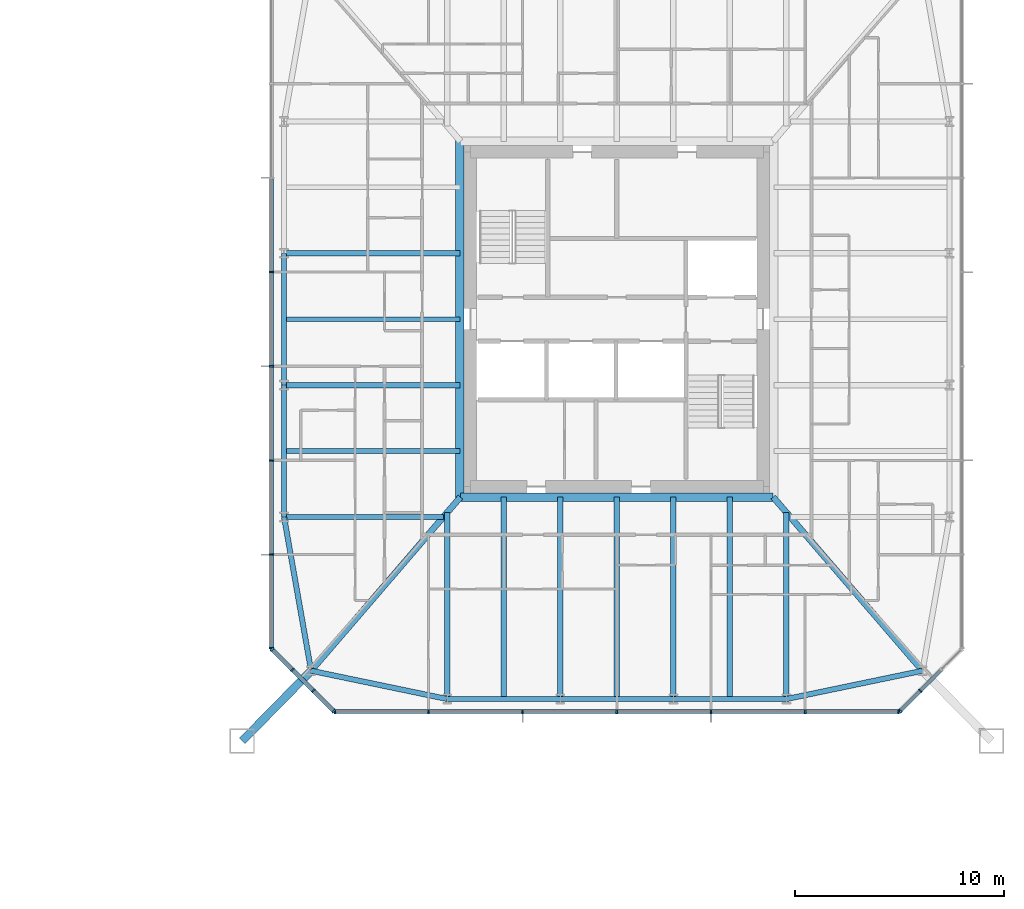
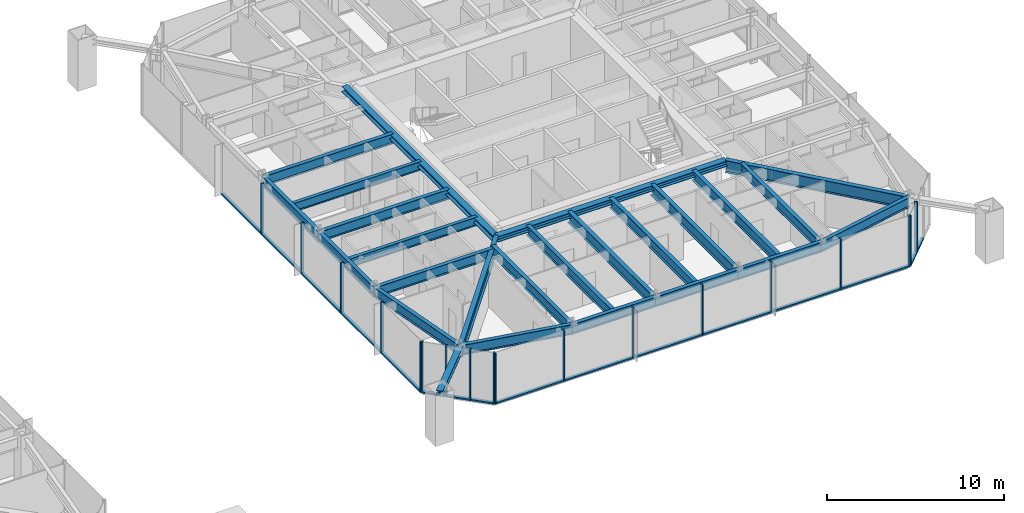
# One storey, part 8 of 26: 35 members, 24 beams, 4 elements without a shape of their own.
"""IFC4 building model written with IfcOpenShell, lengths in metres."""

from ifc_helpers import new_model, si_unit, direction, frame, origin, origin_2d, place, context, subcontext, project, spatial, rectangle, i_section, extrude, material, material_profile, profile_set, type_object, element, aggregate, save


model = new_model("IFC4")

# Units and contexts
model_context = context("Model", 3, precision=1e-05, world=origin(), true_north=direction((0.0, 1.0)))
body_context = subcontext(model_context, "Body", "Model", "MODEL_VIEW")
ifc_project = project(units=[si_unit("LENGTHUNIT", "METRE"), si_unit("AREAUNIT", "SQUARE_METRE"), si_unit("VOLUMEUNIT", "CUBIC_METRE"), si_unit("PLANEANGLEUNIT", "RADIAN"), si_unit("MASSUNIT", "GRAM", prefix="KILO")], contexts=[model_context])

# Site, building, storey
site_placement = place(None, origin())
site = spatial("IfcSite", under=ifc_project, at=site_placement, CompositionType="ELEMENT")
building_placement = place(site_placement, origin())
building = spatial("IfcBuilding", under=site, at=building_placement, Name="Iwan Alto Co-Living Towers", CompositionType="ELEMENT")
storey_placement = place(building_placement, frame((0.0, 0.0, 67.5)))
storey = spatial("IfcBuildingStorey", under=building, at=storey_placement, Name="L18", CompositionType="ELEMENT", Elevation=67.5)

# Curtain wall, members
ifc_material_1 = material(Name="Bronze aluminium unitised frame", Category="aluminium")
curtain_wall_type_1 = type_object("IfcCurtainWallType", Name="CURTAIN WALL CW-C", PredefinedType="NOTDEFINED", material=ifc_material_1)
curtain_wall_1_placement = place(storey_placement, origin())
curtain_wall_1 = element("IfcCurtainWall", 1, at=curtain_wall_1_placement, inside=storey, type_object=curtain_wall_type_1, Name="T2 curtain wall S L18", PredefinedType="NOTDEFINED")
ifc_material_2 = material(Name="Aluminium 6063-T6 bronze anodised", Category="aluminium")
ifc_material_profile_1 = material_profile(ifc_material_2, rectangle(XDim=0.199951171875, YDim=0.080078125, at=origin_2d()), Name="AL 80X200")
ifc_profile_set_1 = profile_set([ifc_material_profile_1], Name="Aluminium 6063-T6 bronze anodised")
member_type_1 = type_object("IfcMemberType", Name="CW-C MULLION 80X200", PredefinedType="MULLION", material=ifc_profile_set_1)
member_1_placement = place(storey_placement, frame((49.5400390625, -18.75, 0.0), z_axis=(0.0, 0.0, 1.0), x_axis=(0.0, 1.0, 0.0)))
member_1 = element("IfcMember", 2, at=member_1_placement, type_object=member_type_1, Name="CW-C mullion 1", PredefinedType="MULLION", context=body_context, shape_type="SweptSolid", body=[
    extrude(rectangle(XDim=0.199951171875, YDim=0.080078125, at=origin_2d()), origin(), (0.0, 0.0, 1.0), 3.5),
])
member_2_placement = place(storey_placement, frame((54.0, -18.75, 0.0), z_axis=(0.0, 0.0, 1.0), x_axis=(0.0, 1.0, 0.0)))
member_2 = element("IfcMember", 3, at=member_2_placement, type_object=member_type_1, Name="CW-C mullion 2", PredefinedType="MULLION", context=body_context, shape_type="SweptSolid", body=[
    extrude(rectangle(XDim=0.199951171875, YDim=0.080078125, at=origin_2d()), origin(), (0.0, 0.0, 1.0), 3.5),
])
member_3_placement = place(storey_placement, frame((58.5, -18.75, 0.0), z_axis=(0.0, 0.0, 1.0), x_axis=(0.0, 1.0, 0.0)))
member_3 = element("IfcMember", 4, at=member_3_placement, type_object=member_type_1, Name="CW-C mullion 3", PredefinedType="MULLION", context=body_context, shape_type="SweptSolid", body=[
    extrude(rectangle(XDim=0.199951171875, YDim=0.080078125, at=origin_2d()), origin(), (0.0, 0.0, 1.0), 3.5),
])
member_4_placement = place(storey_placement, frame((63.0, -18.75, 0.0), z_axis=(0.0, 0.0, 1.0), x_axis=(0.0, 1.0, 0.0)))
member_4 = element("IfcMember", 5, at=member_4_placement, type_object=member_type_1, Name="CW-C mullion 4", PredefinedType="MULLION", context=body_context, shape_type="SweptSolid", body=[
    extrude(rectangle(XDim=0.199951171875, YDim=0.080078125, at=origin_2d()), origin(), (0.0, 0.0, 1.0), 3.5),
])
member_5_placement = place(storey_placement, frame((67.5, -18.75, 0.0), z_axis=(0.0, 0.0, 1.0), x_axis=(0.0, 1.0, 0.0)))
member_5 = element("IfcMember", 6, at=member_5_placement, type_object=member_type_1, Name="CW-C mullion 5", PredefinedType="MULLION", context=body_context, shape_type="SweptSolid", body=[
    extrude(rectangle(XDim=0.199951171875, YDim=0.080078125, at=origin_2d()), origin(), (0.0, 0.0, 1.0), 3.5),
])
member_6_placement = place(storey_placement, frame((72.0, -18.75, 0.0), z_axis=(0.0, 0.0, 1.0), x_axis=(0.0, 1.0, 0.0)))
member_6 = element("IfcMember", 7, at=member_6_placement, type_object=member_type_1, Name="CW-C mullion 6", PredefinedType="MULLION", context=body_context, shape_type="SweptSolid", body=[
    extrude(rectangle(XDim=0.199951171875, YDim=0.080078125, at=origin_2d()), origin(), (0.0, 0.0, 1.0), 3.5),
])
member_7_placement = place(storey_placement, frame((76.4599609375, -18.75, 0.0), z_axis=(0.0, 0.0, 1.0), x_axis=(0.0, 1.0, 0.0)))
member_7 = element("IfcMember", 8, at=member_7_placement, type_object=member_type_1, Name="CW-C mullion 7", PredefinedType="MULLION", context=body_context, shape_type="SweptSolid", body=[
    extrude(rectangle(XDim=0.199951171875, YDim=0.080078125, at=origin_2d()), origin(), (0.0, 0.0, 1.0), 3.5),
])

curtain_wall_2_placement = place(storey_placement, origin())
curtain_wall_2 = element("IfcCurtainWall", 9, at=curtain_wall_2_placement, inside=storey, type_object=curtain_wall_type_1, Name="T2 curtain wall W L18", PredefinedType="NOTDEFINED")
member_8_placement = place(storey_placement, frame((46.5, 2.25, 0.0), z_axis=(0.0, 0.0, 1.0), x_axis=(1.0, 0.0, 0.0)))
member_8 = element("IfcMember", 10, at=member_8_placement, type_object=member_type_1, Name="CW-C mullion 4", PredefinedType="MULLION", context=body_context, shape_type="SweptSolid", body=[
    extrude(rectangle(XDim=0.199951171875, YDim=0.080078125, at=origin_2d()), origin(), (0.0, 0.0, 1.0), 3.5),
])
member_9_placement = place(storey_placement, frame((46.5, -2.25, 0.0), z_axis=(0.0, 0.0, 1.0), x_axis=(1.0, 0.0, 0.0)))
member_9 = element("IfcMember", 11, at=member_9_placement, type_object=member_type_1, Name="CW-C mullion 5", PredefinedType="MULLION", context=body_context, shape_type="SweptSolid", body=[
    extrude(rectangle(XDim=0.199951171875, YDim=0.080078125, at=origin_2d()), origin(), (0.0, 0.0, 1.0), 3.5),
])
member_10_placement = place(storey_placement, frame((46.5, -6.75, 0.0), z_axis=(0.0, 0.0, 1.0), x_axis=(1.0, 0.0, 0.0)))
member_10 = element("IfcMember", 12, at=member_10_placement, type_object=member_type_1, Name="CW-C mullion 6", PredefinedType="MULLION", context=body_context, shape_type="SweptSolid", body=[
    extrude(rectangle(XDim=0.199951171875, YDim=0.080078125, at=origin_2d()), origin(), (0.0, 0.0, 1.0), 3.5),
])
member_11_placement = place(storey_placement, frame((46.5, -11.25, 0.0), z_axis=(0.0, 0.0, 1.0), x_axis=(1.0, 0.0, 0.0)))
member_11 = element("IfcMember", 13, at=member_11_placement, type_object=member_type_1, Name="CW-C mullion 7", PredefinedType="MULLION", context=body_context, shape_type="SweptSolid", body=[
    extrude(rectangle(XDim=0.199951171875, YDim=0.080078125, at=origin_2d()), origin(), (0.0, 0.0, 1.0), 3.5),
])
member_12_placement = place(storey_placement, frame((46.5, -15.7099609375, 0.0), z_axis=(0.0, 0.0, 1.0), x_axis=(1.0, 0.0, 0.0)))
member_12 = element("IfcMember", 14, at=member_12_placement, type_object=member_type_1, Name="CW-C mullion 8", PredefinedType="MULLION", context=body_context, shape_type="SweptSolid", body=[
    extrude(rectangle(XDim=0.199951171875, YDim=0.080078125, at=origin_2d()), origin(), (0.0, 0.0, 1.0), 3.5),
])

# Member
ifc_material_3 = material(Name="Aluminium 6063-T6 bronze anodised", Category="aluminium")
ifc_material_profile_2 = material_profile(ifc_material_3, rectangle(XDim=0.199951171875, YDim=0.10009765625, at=origin_2d()), Name="AL 200X100")
ifc_profile_set_2 = profile_set([ifc_material_profile_2], Name="Aluminium 6063-T6 bronze anodised")
member_type_2 = type_object("IfcMemberType", Name="CW-C TRANSOM 200X100", PredefinedType="USERDEFINED", material=ifc_profile_set_2)
member_13_placement = place(storey_placement, frame((49.580078125, -18.75, 0.050048828125), z_axis=(1.0, 0.0, 0.0), x_axis=(0.0, 1.0, 0.0)))
member_13 = element("IfcMember", 15, at=member_13_placement, type_object=member_type_2, Name="CW-C transom 1.1", ObjectType="TRANSOM", PredefinedType="USERDEFINED", context=body_context, shape_type="SweptSolid", body=[
    extrude(rectangle(XDim=0.199951171875, YDim=0.10009765625, at=origin_2d()), origin(), (0.0, 0.0, 1.0), 4.3798828125),
])

member_14_placement = place(storey_placement, frame((54.0400390625, -18.75, 0.050048828125), z_axis=(1.0, 0.0, 0.0), x_axis=(0.0, 1.0, 0.0)))
member_14 = element("IfcMember", 16, at=member_14_placement, type_object=member_type_2, Name="CW-C transom 2.1", ObjectType="TRANSOM", PredefinedType="USERDEFINED", context=body_context, shape_type="SweptSolid", body=[
    extrude(rectangle(XDim=0.199951171875, YDim=0.10009765625, at=origin_2d()), origin(), (0.0, 0.0, 1.0), 4.419921875),
])

member_15_placement = place(storey_placement, frame((58.5400390625, -18.75, 0.050048828125), z_axis=(1.0, 0.0, 0.0), x_axis=(0.0, 1.0, 0.0)))
member_15 = element("IfcMember", 17, at=member_15_placement, type_object=member_type_2, Name="CW-C transom 3.1", ObjectType="TRANSOM", PredefinedType="USERDEFINED", context=body_context, shape_type="SweptSolid", body=[
    extrude(rectangle(XDim=0.199951171875, YDim=0.10009765625, at=origin_2d()), origin(), (0.0, 0.0, 1.0), 4.419921875),
])

member_16_placement = place(storey_placement, frame((63.0400390625, -18.75, 0.050048828125), z_axis=(1.0, 0.0, 0.0), x_axis=(0.0, 1.0, 0.0)))
member_16 = element("IfcMember", 18, at=member_16_placement, type_object=member_type_2, Name="CW-C transom 4.1", ObjectType="TRANSOM", PredefinedType="USERDEFINED", context=body_context, shape_type="SweptSolid", body=[
    extrude(rectangle(XDim=0.199951171875, YDim=0.10009765625, at=origin_2d()), origin(), (0.0, 0.0, 1.0), 4.419921875),
])

member_17_placement = place(storey_placement, frame((67.5400390625, -18.75, 0.050048828125), z_axis=(1.0, 0.0, 0.0), x_axis=(0.0, 1.0, 0.0)))
member_17 = element("IfcMember", 19, at=member_17_placement, type_object=member_type_2, Name="CW-C transom 5.1", ObjectType="TRANSOM", PredefinedType="USERDEFINED", context=body_context, shape_type="SweptSolid", body=[
    extrude(rectangle(XDim=0.199951171875, YDim=0.10009765625, at=origin_2d()), origin(), (0.0, 0.0, 1.0), 4.419921875),
])

member_18_placement = place(storey_placement, frame((72.0400390625, -18.75, 0.050048828125), z_axis=(1.0, 0.0, 0.0), x_axis=(0.0, 1.0, 0.0)))
member_18 = element("IfcMember", 20, at=member_18_placement, type_object=member_type_2, Name="CW-C transom 6.1", ObjectType="TRANSOM", PredefinedType="USERDEFINED", context=body_context, shape_type="SweptSolid", body=[
    extrude(rectangle(XDim=0.199951171875, YDim=0.10009765625, at=origin_2d()), origin(), (0.0, 0.0, 1.0), 4.3798828125),
])

aggregate(curtain_wall_1, [member_1, member_2, member_3, member_4, member_5, member_6, member_7, member_13, member_14, member_15, member_16, member_17, member_18])

member_19_placement = place(storey_placement, frame((46.5, 6.7099609375, 0.050048828125), z_axis=(0.0, -1.0, 0.0), x_axis=(1.0, 0.0, 0.0)))
member_19 = element("IfcMember", 21, at=member_19_placement, type_object=member_type_2, Name="CW-C transom 3.1", ObjectType="TRANSOM", PredefinedType="USERDEFINED", context=body_context, shape_type="SweptSolid", body=[
    extrude(rectangle(XDim=0.199951171875, YDim=0.10009765625, at=origin_2d()), origin(), (0.0, 0.0, 1.0), 4.419921875),
])

member_20_placement = place(storey_placement, frame((46.5, 2.2099609375, 0.050048828125), z_axis=(0.0, -1.0, 0.0), x_axis=(1.0, 0.0, 0.0)))
member_20 = element("IfcMember", 22, at=member_20_placement, type_object=member_type_2, Name="CW-C transom 4.1", ObjectType="TRANSOM", PredefinedType="USERDEFINED", context=body_context, shape_type="SweptSolid", body=[
    extrude(rectangle(XDim=0.199951171875, YDim=0.10009765625, at=origin_2d()), origin(), (0.0, 0.0, 1.0), 4.419921875),
])

member_21_placement = place(storey_placement, frame((46.5, -2.2900390625, 0.050048828125), z_axis=(0.0, -1.0, 0.0), x_axis=(1.0, 0.0, 0.0)))
member_21 = element("IfcMember", 23, at=member_21_placement, type_object=member_type_2, Name="CW-C transom 5.1", ObjectType="TRANSOM", PredefinedType="USERDEFINED", context=body_context, shape_type="SweptSolid", body=[
    extrude(rectangle(XDim=0.199951171875, YDim=0.10009765625, at=origin_2d()), origin(), (0.0, 0.0, 1.0), 4.419921875),
])

member_22_placement = place(storey_placement, frame((46.5, -6.7900390625, 0.050048828125), z_axis=(0.0, -1.0, 0.0), x_axis=(1.0, 0.0, 0.0)))
member_22 = element("IfcMember", 24, at=member_22_placement, type_object=member_type_2, Name="CW-C transom 6.1", ObjectType="TRANSOM", PredefinedType="USERDEFINED", context=body_context, shape_type="SweptSolid", body=[
    extrude(rectangle(XDim=0.199951171875, YDim=0.10009765625, at=origin_2d()), origin(), (0.0, 0.0, 1.0), 4.419921875),
])

member_23_placement = place(storey_placement, frame((46.5, -11.2900390625, 0.050048828125), z_axis=(0.0, -1.0, 0.0), x_axis=(1.0, 0.0, 0.0)))
member_23 = element("IfcMember", 25, at=member_23_placement, type_object=member_type_2, Name="CW-C transom 7.1", ObjectType="TRANSOM", PredefinedType="USERDEFINED", context=body_context, shape_type="SweptSolid", body=[
    extrude(rectangle(XDim=0.199951171875, YDim=0.10009765625, at=origin_2d()), origin(), (0.0, 0.0, 1.0), 4.3798828125),
])

aggregate(curtain_wall_2, [member_8, member_9, member_10, member_11, member_12, member_19, member_20, member_21, member_22, member_23])

# Curtain wall, members
ifc_material_4 = material(Name="Bronze aluminium unitised frame", Category="aluminium")
curtain_wall_type_2 = type_object("IfcCurtainWallType", Name="CURTAIN WALL CW-D", PredefinedType="NOTDEFINED", material=ifc_material_4)
curtain_wall_3_placement = place(storey_placement, origin())
curtain_wall_3 = element("IfcCurtainWall", 26, at=curtain_wall_3_placement, inside=storey, type_object=curtain_wall_type_2, Name="T2 chamfer curtain wall SE L18", PredefinedType="NOTDEFINED")
ifc_material_5 = material(Name="Aluminium 6063-T6 bronze anodised", Category="aluminium")
ifc_material_profile_3 = material_profile(ifc_material_5, rectangle(XDim=0.199951171875, YDim=0.080078125, at=origin_2d()), Name="AL 80X200")
ifc_profile_set_3 = profile_set([ifc_material_profile_3], Name="Aluminium 6063-T6 bronze anodised")
member_type_3 = type_object("IfcMemberType", Name="CW-D MULLION 80X200", PredefinedType="MULLION", material=ifc_profile_set_3)
member_24_placement = place(storey_placement, frame((76.5283203125, -18.7216796875, 0.0), z_axis=(0.0, 0.0, 1.0), x_axis=(-0.707106781187, 0.707106781187, 0.0)))
member_24 = element("IfcMember", 27, at=member_24_placement, type_object=member_type_3, Name="CW-D mullion 1", PredefinedType="MULLION", context=body_context, shape_type="SweptSolid", body=[
    extrude(rectangle(XDim=0.199951171875, YDim=0.080078125, at=origin_2d()), origin(), (0.0, 0.0, 1.0), 3.5),
])
member_25_placement = place(storey_placement, frame((77.5, -17.75, 0.0), z_axis=(0.0, 0.0, 1.0), x_axis=(-0.707106781187, 0.707106781187, 0.0)))
member_25 = element("IfcMember", 28, at=member_25_placement, type_object=member_type_3, Name="CW-D mullion 2", PredefinedType="MULLION", context=body_context, shape_type="SweptSolid", body=[
    extrude(rectangle(XDim=0.199951171875, YDim=0.080078125, at=origin_2d()), origin(), (0.0, 0.0, 1.0), 3.5),
])

curtain_wall_4_placement = place(storey_placement, origin())
curtain_wall_4 = element("IfcCurtainWall", 29, at=curtain_wall_4_placement, inside=storey, type_object=curtain_wall_type_2, Name="T2 chamfer curtain wall SW L18", PredefinedType="NOTDEFINED")
member_26_placement = place(storey_placement, frame((46.5283203125, -15.7783203125, 0.0), z_axis=(0.0, 0.0, 1.0), x_axis=(0.707106781187, 0.707106781187, 0.0)))
member_26 = element("IfcMember", 30, at=member_26_placement, type_object=member_type_3, Name="CW-D mullion 1", PredefinedType="MULLION", context=body_context, shape_type="SweptSolid", body=[
    extrude(rectangle(XDim=0.199951171875, YDim=0.080078125, at=origin_2d()), origin(), (0.0, 0.0, 1.0), 3.5),
])
member_27_placement = place(storey_placement, frame((47.5, -16.75, 0.0), z_axis=(0.0, 0.0, 1.0), x_axis=(0.707106781187, 0.707106781187, 0.0)))
member_27 = element("IfcMember", 31, at=member_27_placement, type_object=member_type_3, Name="CW-D mullion 2", PredefinedType="MULLION", context=body_context, shape_type="SweptSolid", body=[
    extrude(rectangle(XDim=0.199951171875, YDim=0.080078125, at=origin_2d()), origin(), (0.0, 0.0, 1.0), 3.5),
])
member_28_placement = place(storey_placement, frame((48.5, -17.75, 0.0), z_axis=(0.0, 0.0, 1.0), x_axis=(0.707106781187, 0.707106781187, 0.0)))
member_28 = element("IfcMember", 32, at=member_28_placement, type_object=member_type_3, Name="CW-D mullion 3", PredefinedType="MULLION", context=body_context, shape_type="SweptSolid", body=[
    extrude(rectangle(XDim=0.199951171875, YDim=0.080078125, at=origin_2d()), origin(), (0.0, 0.0, 1.0), 3.5),
])
member_29_placement = place(storey_placement, frame((49.4716796875, -18.7216796875, 0.0), z_axis=(0.0, 0.0, 1.0), x_axis=(0.707106781187, 0.707106781187, 0.0)))
member_29 = element("IfcMember", 33, at=member_29_placement, type_object=member_type_3, Name="CW-D mullion 4", PredefinedType="MULLION", context=body_context, shape_type="SweptSolid", body=[
    extrude(rectangle(XDim=0.199951171875, YDim=0.080078125, at=origin_2d()), origin(), (0.0, 0.0, 1.0), 3.5),
])

# Member
ifc_material_6 = material(Name="Aluminium 6063-T6 bronze anodised", Category="aluminium")
ifc_material_profile_4 = material_profile(ifc_material_6, rectangle(XDim=0.199951171875, YDim=0.10009765625, at=origin_2d()), Name="AL 200X100")
ifc_profile_set_4 = profile_set([ifc_material_profile_4], Name="Aluminium 6063-T6 bronze anodised")
member_type_4 = type_object("IfcMemberType", Name="CW-D TRANSOM 200X100", PredefinedType="USERDEFINED", material=ifc_profile_set_4)
member_30_placement = place(storey_placement, frame((76.556640625, -18.693359375, 0.050048828125), z_axis=(0.707106781187, 0.707106781187, 0.0), x_axis=(-0.707106781187, 0.707106781187, 0.0)))
member_30 = element("IfcMember", 34, at=member_30_placement, type_object=member_type_4, Name="CW-D transom 1.1", ObjectType="TRANSOM", PredefinedType="USERDEFINED", context=body_context, shape_type="SweptSolid", body=[
    extrude(rectangle(XDim=0.199951171875, YDim=0.10009765625, at=origin_2d()), origin(), (0.0, 0.0, 1.0), 1.2939453125),
])

member_31_placement = place(storey_placement, frame((77.5283203125, -17.7216796875, 0.050048828125), z_axis=(0.707106781187, 0.707106781187, 0.0), x_axis=(-0.707106781187, 0.707106781187, 0.0)))
member_31 = element("IfcMember", 35, at=member_31_placement, type_object=member_type_4, Name="CW-D transom 2.1", ObjectType="TRANSOM", PredefinedType="USERDEFINED", context=body_context, shape_type="SweptSolid", body=[
    extrude(rectangle(XDim=0.199951171875, YDim=0.10009765625, at=origin_2d()), origin(), (0.0, 0.0, 1.0), 1.334228515625),
])

aggregate(curtain_wall_3, [member_24, member_25, member_30, member_31])

member_32_placement = place(storey_placement, frame((46.556640625, -15.806640625, 0.050048828125), z_axis=(0.707106781187, -0.707106781187, 0.0), x_axis=(0.707106781187, 0.707106781187, 0.0)))
member_32 = element("IfcMember", 36, at=member_32_placement, type_object=member_type_4, Name="CW-D transom 1.1", ObjectType="TRANSOM", PredefinedType="USERDEFINED", context=body_context, shape_type="SweptSolid", body=[
    extrude(rectangle(XDim=0.199951171875, YDim=0.10009765625, at=origin_2d()), origin(), (0.0, 0.0, 1.0), 1.2939453125),
])

member_33_placement = place(storey_placement, frame((47.5283203125, -16.7783203125, 0.050048828125), z_axis=(0.707106781187, -0.707106781187, 0.0), x_axis=(0.707106781187, 0.707106781187, 0.0)))
member_33 = element("IfcMember", 37, at=member_33_placement, type_object=member_type_4, Name="CW-D transom 2.1", ObjectType="TRANSOM", PredefinedType="USERDEFINED", context=body_context, shape_type="SweptSolid", body=[
    extrude(rectangle(XDim=0.199951171875, YDim=0.10009765625, at=origin_2d()), origin(), (0.0, 0.0, 1.0), 1.334228515625),
])

member_34_placement = place(storey_placement, frame((48.5283203125, -17.7783203125, 0.050048828125), z_axis=(0.707106781187, -0.707106781187, 0.0), x_axis=(0.707106781187, 0.707106781187, 0.0)))
member_34 = element("IfcMember", 38, at=member_34_placement, type_object=member_type_4, Name="CW-D transom 3.1", ObjectType="TRANSOM", PredefinedType="USERDEFINED", context=body_context, shape_type="SweptSolid", body=[
    extrude(rectangle(XDim=0.199951171875, YDim=0.10009765625, at=origin_2d()), origin(), (0.0, 0.0, 1.0), 1.2939453125),
])

aggregate(curtain_wall_4, [member_26, member_27, member_28, member_29, member_32, member_33, member_34])

# Beams
ifc_material_7 = material(Name="Steel ASTM A992 Gr 50", Category="steel")
ifc_material_profile_5 = material_profile(ifc_material_7, i_section(OverallWidth=0.398681640625, OverallDepth=0.385986328125, WebThickness=0.02099609375, FlangeThickness=0.033203125, at=origin_2d()), Name="W14X176")
ifc_profile_set_5 = profile_set([ifc_material_profile_5], Name="Steel ASTM A992 Gr 50")
beam_type_1 = type_object("IfcBeamType", Name="T2 CORE LEDGER BEAM W14X176", PredefinedType="BEAM", material=ifc_profile_set_5)
beam_1_placement = place(storey_placement, frame((55.528564453125, -8.49951171875, 3.076904296875), z_axis=(1.0, 0.0, 0.0), x_axis=(0.0, 1.0, 0.0)))
element("IfcBeam", 39, at=beam_1_placement, inside=storey, type_object=beam_type_1, Name="T2 core ledger beam S L19", PredefinedType="BEAM", context=body_context, shape_type="SweptSolid", body=[
    extrude(i_section(OverallWidth=0.398681640625, OverallDepth=0.385986328125, WebThickness=0.02099609375, FlangeThickness=0.033203125, at=origin_2d()), origin(), (0.0, 0.0, 1.0), 14.94287109375),
])
beam_2_placement = place(storey_placement, frame((55.50048828125, 8.531982421875, 3.076904296875), z_axis=(0.0, -1.0, 0.0), x_axis=(1.0, 0.0, 0.0)))
element("IfcBeam", 40, at=beam_2_placement, inside=storey, type_object=beam_type_1, Name="T2 core ledger beam W L19", PredefinedType="BEAM", context=body_context, shape_type="SweptSolid", body=[
    extrude(i_section(OverallWidth=0.398681640625, OverallDepth=0.385986328125, WebThickness=0.02099609375, FlangeThickness=0.033203125, at=origin_2d()), origin(), (0.0, 0.0, 1.0), 17.06396484375),
])
ifc_material_8 = material(Name="Steel ASTM A992 Gr 50", Category="steel")
ifc_material_profile_6 = material_profile(ifc_material_8, i_section(OverallWidth=0.2919921875, OverallDepth=0.8408203125, WebThickness=0.0146484375, FlangeThickness=0.021728515625, at=origin_2d()), Name="W33X130")
ifc_profile_set_6 = profile_set([ifc_material_profile_6], Name="Steel ASTM A992 Gr 50")
beam_type_2 = type_object("IfcBeamType", Name="T2 CORNER GIRDER W33X130", PredefinedType="BEAM", material=ifc_profile_set_6)
for number, where, z_axis, x_axis, name in (
    (41, (48.393798828125, -16.797119140625, 2.849609375), (0.651977452133, 0.758238354286, 0.0), (-0.758238354286, 0.651977452133, 0.0), "T2 corner girder CSW L19"),
    (42, (77.606201171875, -16.797119140625, 2.849609375), (-0.651977452133, 0.758238354286, 0.0), (-0.758238354286, -0.651977452133, 0.0), "T2 corner girder CSE L19"),
):
    element("IfcBeam", number, at=place(storey_placement, frame(where, z_axis=z_axis, x_axis=x_axis)), inside=storey, type_object=beam_type_2, Name=name, PredefinedType="BEAM", context=body_context, shape_type="SweptSolid", body=[
        extrude(i_section(OverallWidth=0.2919921875, OverallDepth=0.8408203125, WebThickness=0.0146484375, FlangeThickness=0.021728515625, at=origin_2d()), origin(), (0.0, 0.0, 1.0), 10.943359375),
    ])
ifc_material_9 = material(Name="Steel ASTM A992 Gr 50", Category="steel")
ifc_material_profile_7 = material_profile(ifc_material_9, i_section(OverallWidth=0.25390625, OverallDepth=0.683349609375, WebThickness=0.012451171875, FlangeThickness=0.018798828125, at=origin_2d()), Name="W27X94")
ifc_profile_set_7 = profile_set([ifc_material_profile_7], Name="Steel ASTM A992 Gr 50")
beam_type_3 = type_object("IfcBeamType", Name="T2 EDGE BEAM W27X94", PredefinedType="BEAM", material=ifc_profile_set_7)
beam_3_placement = place(storey_placement, frame((48.393798828125, -16.797119140625, 2.928466796875), z_axis=(0.979060119423, -0.203571320564, 0.0), x_axis=(0.203571320564, 0.979060119423, 0.0)))
element("IfcBeam", 43, at=beam_3_placement, inside=storey, type_object=beam_type_3, Name="T2 edge beam CSW L19", PredefinedType="BEAM", context=body_context, shape_type="SweptSolid", body=[
    extrude(i_section(OverallWidth=0.25390625, OverallDepth=0.683349609375, WebThickness=0.012451171875, FlangeThickness=0.018798828125, at=origin_2d()), origin(), (0.0, 0.0, 1.0), 6.645263671875),
])
beam_4_placement = place(storey_placement, frame((54.89990234375, -18.14990234375, 2.928466796875), z_axis=(1.0, 0.0, 0.0), x_axis=(0.0, 1.0, 0.0)))
element("IfcBeam", 44, at=beam_4_placement, inside=storey, type_object=beam_type_3, Name="T2 edge beam S1 L19", PredefinedType="BEAM", context=body_context, shape_type="SweptSolid", body=[
    extrude(i_section(OverallWidth=0.25390625, OverallDepth=0.683349609375, WebThickness=0.012451171875, FlangeThickness=0.018798828125, at=origin_2d()), origin(), (0.0, 0.0, 1.0), 5.400146484375),
])
beam_5_placement = place(storey_placement, frame((60.300048828125, -18.14990234375, 2.928466796875), z_axis=(1.0, 0.0, 0.0), x_axis=(0.0, 1.0, 0.0)))
element("IfcBeam", 45, at=beam_5_placement, inside=storey, type_object=beam_type_3, Name="T2 edge beam S2 L19", PredefinedType="BEAM", context=body_context, shape_type="SweptSolid", body=[
    extrude(i_section(OverallWidth=0.25390625, OverallDepth=0.683349609375, WebThickness=0.012451171875, FlangeThickness=0.018798828125, at=origin_2d()), origin(), (0.0, 0.0, 1.0), 5.39990234375),
])
beam_6_placement = place(storey_placement, frame((65.699951171875, -18.14990234375, 2.928466796875), z_axis=(1.0, 0.0, 0.0), x_axis=(0.0, 1.0, 0.0)))
element("IfcBeam", 46, at=beam_6_placement, inside=storey, type_object=beam_type_3, Name="T2 edge beam S3 L19", PredefinedType="BEAM", context=body_context, shape_type="SweptSolid", body=[
    extrude(i_section(OverallWidth=0.25390625, OverallDepth=0.683349609375, WebThickness=0.012451171875, FlangeThickness=0.018798828125, at=origin_2d()), origin(), (0.0, 0.0, 1.0), 5.400146484375),
])
beam_7_placement = place(storey_placement, frame((71.10009765625, -18.14990234375, 2.928466796875), z_axis=(0.979060119423, 0.203571320564, 0.0), x_axis=(-0.203571320564, 0.979060119423, 0.0)))
element("IfcBeam", 47, at=beam_7_placement, inside=storey, type_object=beam_type_3, Name="T2 edge beam S4 L19", PredefinedType="BEAM", context=body_context, shape_type="SweptSolid", body=[
    extrude(i_section(OverallWidth=0.25390625, OverallDepth=0.683349609375, WebThickness=0.012451171875, FlangeThickness=0.018798828125, at=origin_2d()), origin(), (0.0, 0.0, 1.0), 6.645263671875),
])
beam_8_placement = place(storey_placement, frame((47.10009765625, 3.14990234375, 2.928466796875), z_axis=(0.0, -1.0, 0.0), x_axis=(1.0, 0.0, 0.0)))
element("IfcBeam", 48, at=beam_8_placement, inside=storey, type_object=beam_type_3, Name="T2 edge beam W2 L19", PredefinedType="BEAM", context=body_context, shape_type="SweptSolid", body=[
    extrude(i_section(OverallWidth=0.25390625, OverallDepth=0.683349609375, WebThickness=0.012451171875, FlangeThickness=0.018798828125, at=origin_2d()), origin(), (0.0, 0.0, 1.0), 6.2998046875),
])
beam_9_placement = place(storey_placement, frame((47.10009765625, -3.14990234375, 2.928466796875), z_axis=(0.0, -1.0, 0.0), x_axis=(1.0, 0.0, 0.0)))
element("IfcBeam", 49, at=beam_9_placement, inside=storey, type_object=beam_type_3, Name="T2 edge beam W3 L19", PredefinedType="BEAM", context=body_context, shape_type="SweptSolid", body=[
    extrude(i_section(OverallWidth=0.25390625, OverallDepth=0.683349609375, WebThickness=0.012451171875, FlangeThickness=0.018798828125, at=origin_2d()), origin(), (0.0, 0.0, 1.0), 6.300048828125),
])
beam_10_placement = place(storey_placement, frame((47.10009765625, -9.449951171875, 2.928466796875), z_axis=(0.173413807283, -0.98484905008, 0.0), x_axis=(0.98484905008, 0.173413807283, 0.0)))
element("IfcBeam", 50, at=beam_10_placement, inside=storey, type_object=beam_type_3, Name="T2 edge beam W4 L19", PredefinedType="BEAM", context=body_context, shape_type="SweptSolid", body=[
    extrude(i_section(OverallWidth=0.25390625, OverallDepth=0.683349609375, WebThickness=0.012451171875, FlangeThickness=0.018798828125, at=origin_2d()), origin(), (0.0, 0.0, 1.0), 7.460205078125),
])

# Member
ifc_material_10 = material(Name="Steel ASTM A992 Gr 50", Category="steel")
ifc_material_profile_8 = material_profile(ifc_material_10, i_section(OverallWidth=0.393798828125, OverallDepth=0.3759765625, WebThickness=0.017333984375, FlangeThickness=0.027587890625, at=origin_2d()), Name="W14X145")
ifc_profile_set_8 = profile_set([ifc_material_profile_8], Name="Steel ASTM A992 Gr 50")
member_type_5 = type_object("IfcMemberType", Name="T2 MEGA COLUMN FLOOR TIE W14X145", PredefinedType="STRUT", material=ifc_profile_set_8)
member_35_placement = place(storey_placement, frame((45.10009765625, -20.14990234375, 3.08203125), z_axis=(0.700793469544, 0.71336422187, 0.0), x_axis=(-0.71336422187, 0.700793469544, 0.0)))
element("IfcMember", 51, at=member_35_placement, inside=storey, type_object=member_type_5, Name="T2 mega column floor tie SW L19", PredefinedType="STRUT", context=body_context, shape_type="SweptSolid", body=[
    extrude(i_section(OverallWidth=0.393798828125, OverallDepth=0.3759765625, WebThickness=0.017333984375, FlangeThickness=0.027587890625, at=origin_2d()), origin(), (0.0, 0.0, 1.0), 4.699951171875),
])

# Beams
ifc_material_11 = material(Name="Steel ASTM A992 Gr 50", Category="steel")
ifc_material_profile_9 = material_profile(ifc_material_11, i_section(OverallWidth=0.25390625, OverallDepth=0.683349609375, WebThickness=0.012451171875, FlangeThickness=0.018798828125, at=origin_2d()), Name="W27X94")
ifc_profile_set_9 = profile_set([ifc_material_profile_9], Name="Steel ASTM A992 Gr 50")
beam_type_4 = type_object("IfcBeamType", Name="T2 RADIAL BEAM W27X94", PredefinedType="BEAM", material=ifc_profile_set_9)
for number, where, z_axis, x_axis, name in (
    (52, (54.89990234375, -18.14990234375, 2.928466796875), (0.0, 1.0, 0.0), (-1.0, 0.0, 0.0), "T2 radial beam S1 L19"),
    (53, (71.10009765625, -18.14990234375, 2.928466796875), (0.0, 1.0, 0.0), (-1.0, 0.0, 0.0), "T2 radial beam S4 L19"),
):
    element("IfcBeam", number, at=place(storey_placement, frame(where, z_axis=z_axis, x_axis=x_axis)), inside=storey, type_object=beam_type_4, Name=name, PredefinedType="BEAM", context=body_context, shape_type="SweptSolid", body=[
        extrude(i_section(OverallWidth=0.25390625, OverallDepth=0.683349609375, WebThickness=0.012451171875, FlangeThickness=0.018798828125, at=origin_2d()), origin(), (0.0, 0.0, 1.0), 8.91943359375),
    ])
for number, where, z_axis, x_axis, name in (
    (54, (47.10009765625, 3.14990234375, 2.928466796875), (1.0, 0.0, 0.0), (0.0, 1.0, 0.0), "T2 radial beam W2 L19"),
    (55, (47.10009765625, -3.14990234375, 2.928466796875), (1.0, 0.0, 0.0), (0.0, 1.0, 0.0), "T2 radial beam W3 L19"),
):
    element("IfcBeam", number, at=place(storey_placement, frame(where, z_axis=z_axis, x_axis=x_axis)), inside=storey, type_object=beam_type_4, Name=name, PredefinedType="BEAM", context=body_context, shape_type="SweptSolid", body=[
        extrude(i_section(OverallWidth=0.25390625, OverallDepth=0.683349609375, WebThickness=0.012451171875, FlangeThickness=0.018798828125, at=origin_2d()), origin(), (0.0, 0.0, 1.0), 8.400390625),
    ])
beam_11_placement = place(storey_placement, frame((47.10009765625, -9.449951171875, 2.928466796875), z_axis=(1.0, 0.0, 0.0), x_axis=(0.0, 1.0, 0.0)))
element("IfcBeam", 56, at=beam_11_placement, inside=storey, type_object=beam_type_4, Name="T2 radial beam W4 L19", PredefinedType="BEAM", context=body_context, shape_type="SweptSolid", body=[
    extrude(i_section(OverallWidth=0.25390625, OverallDepth=0.683349609375, WebThickness=0.012451171875, FlangeThickness=0.018798828125, at=origin_2d()), origin(), (0.0, 0.0, 1.0), 7.611083984375),
])
ifc_material_12 = material(Name="Steel ASTM A992 Gr 50", Category="steel")
ifc_material_profile_10 = material_profile(ifc_material_12, i_section(OverallWidth=0.2666015625, OverallDepth=0.761962890625, WebThickness=0.014404296875, FlangeThickness=0.021484375, at=origin_2d()), Name="W30X116")
ifc_profile_set_10 = profile_set([ifc_material_profile_10], Name="Steel ASTM A992 Gr 50")
beam_type_5 = type_object("IfcBeamType", Name="T2 RADIAL BEAM W30X116", PredefinedType="BEAM", material=ifc_profile_set_10)
for number, where, z_axis, x_axis, name in (
    (57, (60.300048828125, -18.14990234375, 2.888916015625), (0.0, 1.0, 0.0), (-1.0, 0.0, 0.0), "T2 radial beam S2 L19"),
    (58, (65.699951171875, -18.14990234375, 2.888916015625), (0.0, 1.0, 0.0), (-1.0, 0.0, 0.0), "T2 radial beam S3 L19"),
):
    element("IfcBeam", number, at=place(storey_placement, frame(where, z_axis=z_axis, x_axis=x_axis)), inside=storey, type_object=beam_type_5, Name=name, PredefinedType="BEAM", context=body_context, shape_type="SweptSolid", body=[
        extrude(i_section(OverallWidth=0.2666015625, OverallDepth=0.761962890625, WebThickness=0.014404296875, FlangeThickness=0.021484375, at=origin_2d()), origin(), (0.0, 0.0, 1.0), 9.650390625),
    ])
ifc_material_13 = material(Name="Steel ASTM A992 Gr 50", Category="steel")
ifc_material_profile_11 = material_profile(ifc_material_13, i_section(OverallWidth=0.228271484375, OverallDepth=0.607177734375, WebThickness=0.01123046875, FlangeThickness=0.017333984375, at=origin_2d()), Name="W24X76")
ifc_profile_set_11 = profile_set([ifc_material_profile_11], Name="Steel ASTM A992 Gr 50")
beam_type_6 = type_object("IfcBeamType", Name="T2 SECONDARY BEAM W24X76", PredefinedType="JOIST", material=ifc_profile_set_11)
for number, where, z_axis, x_axis, name in (
    (59, (47.10009765625, 0.0, 2.966552734375), (1.0, 0.0, 0.0), (0.0, 1.0, 0.0), "T2 secondary beam W2 L19"),
    (60, (47.10009765625, -6.300048828125, 2.966552734375), (1.0, 0.0, 0.0), (0.0, 1.0, 0.0), "T2 secondary beam W3 L19"),
):
    element("IfcBeam", number, at=place(storey_placement, frame(where, z_axis=z_axis, x_axis=x_axis)), inside=storey, type_object=beam_type_6, Name=name, PredefinedType="JOIST", context=body_context, shape_type="SweptSolid", body=[
        extrude(i_section(OverallWidth=0.228271484375, OverallDepth=0.607177734375, WebThickness=0.01123046875, FlangeThickness=0.017333984375, at=origin_2d()), origin(), (0.0, 0.0, 1.0), 8.400390625),
    ])
ifc_material_14 = material(Name="Steel ASTM A992 Gr 50", Category="steel")
ifc_material_profile_12 = material_profile(ifc_material_14, i_section(OverallWidth=0.25390625, OverallDepth=0.683349609375, WebThickness=0.012451171875, FlangeThickness=0.018798828125, at=origin_2d()), Name="W27X94")
ifc_profile_set_12 = profile_set([ifc_material_profile_12], Name="Steel ASTM A992 Gr 50")
beam_type_7 = type_object("IfcBeamType", Name="T2 SECONDARY BEAM W27X94", PredefinedType="JOIST", material=ifc_profile_set_12)
for number, where, z_axis, x_axis, name in (
    (61, (57.60009765625, -18.14990234375, 2.928466796875), (0.0, 1.0, 0.0), (-1.0, 0.0, 0.0), "T2 secondary beam S1 L19"),
    (62, (63.0, -18.14990234375, 2.928466796875), (0.0, 1.0, 0.0), (-1.0, 0.0, 0.0), "T2 secondary beam S2 L19"),
    (63, (68.39990234375, -18.14990234375, 2.928466796875), (0.0, 1.0, 0.0), (-1.0, 0.0, 0.0), "T2 secondary beam S3 L19"),
):
    element("IfcBeam", number, at=place(storey_placement, frame(where, z_axis=z_axis, x_axis=x_axis)), inside=storey, type_object=beam_type_7, Name=name, PredefinedType="JOIST", context=body_context, shape_type="SweptSolid", body=[
        extrude(i_section(OverallWidth=0.25390625, OverallDepth=0.683349609375, WebThickness=0.012451171875, FlangeThickness=0.018798828125, at=origin_2d()), origin(), (0.0, 0.0, 1.0), 9.650390625),
    ])

save(model, "model.ifc")
